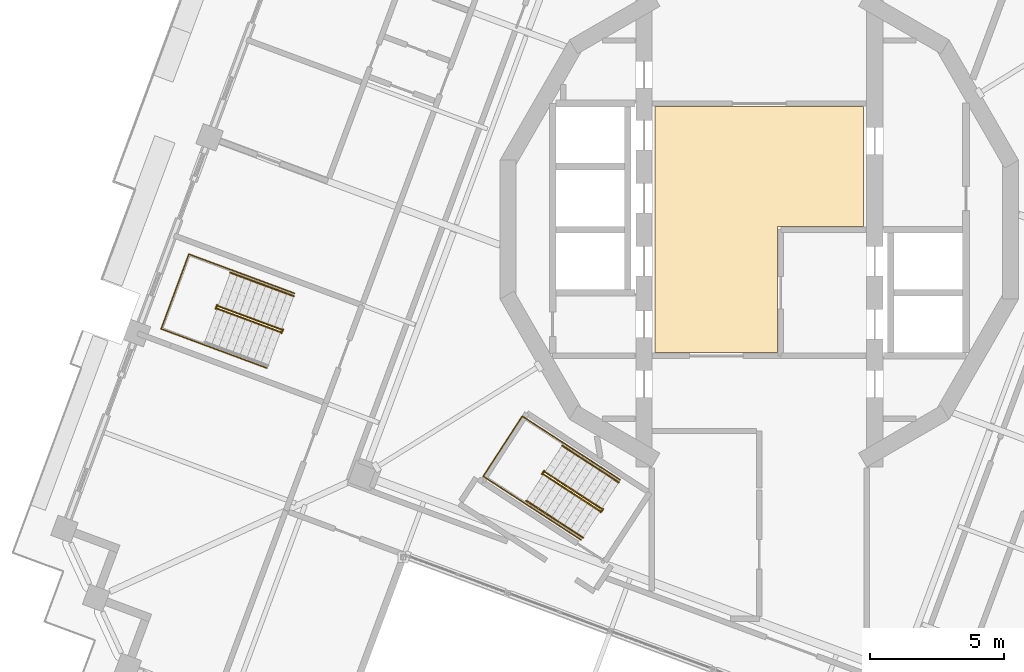
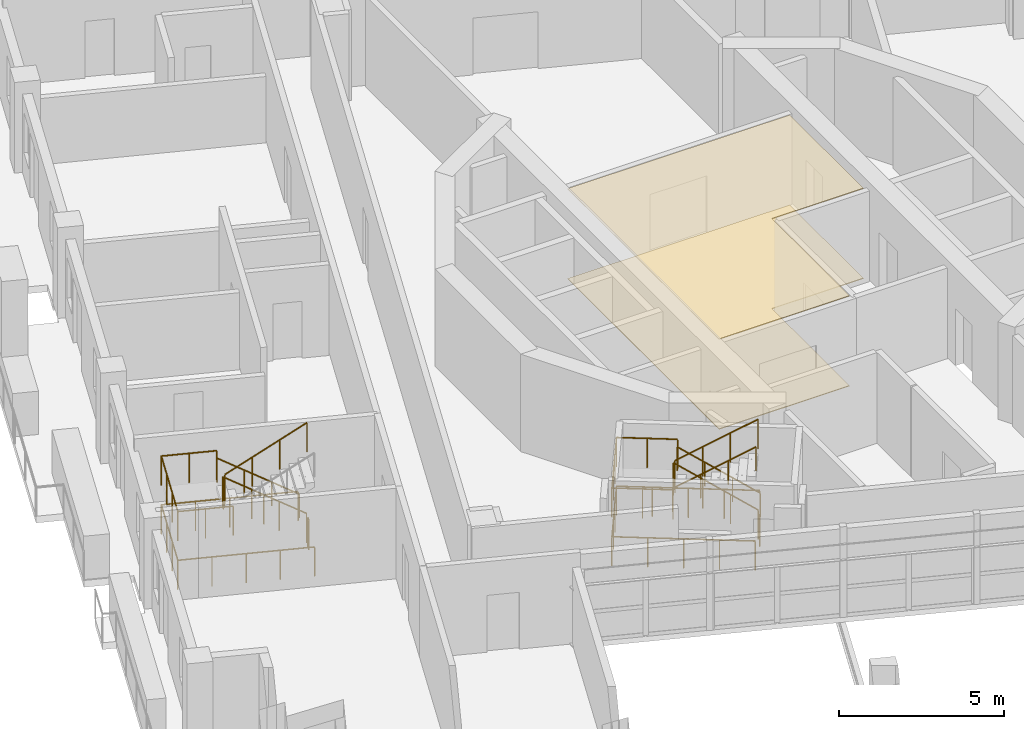
# One storey, part 14 of 19: 13 railings, 2 coverings.
"""IFC4 building model written with IfcOpenShell, lengths in metres."""

from ifc_helpers import new_model, si_unit, direction, frame, origin, origin_2d, place, context, subcontext, project, spatial, polyline, circle, outline, extrude, material, layer, layer_set, type_object, element, save


model = new_model("IFC4")

# Units and contexts
model_context = context("Model", 3, precision=1e-05, world=origin(), true_north=direction((0.0, 1.0)))
body_context = subcontext(model_context, "Body", "Model", "MODEL_VIEW")
ifc_project = project(units=[si_unit("LENGTHUNIT", "METRE"), si_unit("AREAUNIT", "SQUARE_METRE"), si_unit("VOLUMEUNIT", "CUBIC_METRE"), si_unit("PLANEANGLEUNIT", "RADIAN"), si_unit("MASSUNIT", "GRAM", prefix="KILO")], contexts=[model_context])

# Site, building, storey
site_placement = place(None, origin())
site = spatial("IfcSite", under=ifc_project, at=site_placement, CompositionType="ELEMENT")
building_placement = place(site_placement, origin())
building = spatial("IfcBuilding", under=site, at=building_placement, Name="Cantera Rosa Tower", CompositionType="ELEMENT")
storey_placement = place(building_placement, frame((0.0, 0.0, 324.10009765625)))
storey = spatial("IfcBuildingStorey", under=building, at=storey_placement, Name="L72", CompositionType="ELEMENT", Elevation=324.10009765625)

# Railings
ifc_material_1 = material(Name="Steel S355J2 (EN 10025-2)", Category="steel")
railing_type_1 = type_object("IfcRailingType", Name="STAIR GUARD 1100", PredefinedType="GUARDRAIL", material=ifc_material_1)
railing_1_placement = place(storey_placement, frame((-17.802490234375, -3.721923828125, 0.179931640625)))
element("IfcRailing", 1, at=railing_1_placement, inside=storey, type_object=railing_type_1, Name="L72 ST-63 stair guard 1", PredefinedType="GUARDRAIL", context=body_context, shape_type="SweptSolid", body=[
    extrude(circle(Radius=0.02392578125, at=origin_2d()), frame((0.0, 0.0, 1.076171875), z_axis=(-0.78878233546, 0.292319685639, 0.540713998944), x_axis=(-0.347500508527, -0.937679794265, 0.0)), (0.0, 0.0, 1.0), 2.995849609375),
    extrude(circle(Radius=0.02392578125, at=origin_2d()), frame((-2.363037109375, 0.875732421875, 2.69580078125), z_axis=(-0.671593765389, 0.740919573429, 0.0), x_axis=(-0.740919573429, -0.671593765389, 0.0)), (0.0, 0.0, 1.0), 0.056396484375),
    extrude(circle(Radius=0.02392578125, at=origin_2d()), frame((-2.40087890625, 0.91748046875, 2.69580078125), z_axis=(-0.348268249601, -0.937394914814, 0.0), x_axis=(0.937394914814, -0.348268249601, 0.0)), (0.0, 0.0, 1.0), 0.14990234375),
    extrude(circle(Radius=0.02099609375, at=origin_2d()), origin(), (0.0, 0.0, 1.0), 1.052001953125),
    extrude(circle(Radius=0.02099609375, at=origin_2d()), frame((-0.78759765625, 0.2919921875, 0.5400390625)), (0.0, 0.0, 1.0), 1.052001953125),
    extrude(circle(Radius=0.02099609375, at=origin_2d()), frame((-1.575439453125, 0.583740234375, 1.079833984375)), (0.0, 0.0, 1.0), 1.052001953125),
    extrude(circle(Radius=0.02099609375, at=origin_2d()), frame((-2.363037109375, 0.875732421875, 1.619873046875)), (0.0, 0.0, 1.0), 1.052001953125),
    extrude(circle(Radius=0.02099609375, at=origin_2d()), frame((-2.40087890625, 0.91748046875, 1.619873046875)), (0.0, 0.0, 1.0), 1.052001953125),
    extrude(circle(Radius=0.02099609375, at=origin_2d()), frame((-2.453125, 0.77685546875, 1.619873046875)), (0.0, 0.0, 1.0), 1.052001953125),
])
railing_2_placement = place(storey_placement, frame((-20.19970703125, -2.93798828125, 1.97998046875)))
element("IfcRailing", 2, at=railing_2_placement, inside=storey, type_object=railing_type_1, Name="L72 ST-63 stair guard 2", PredefinedType="GUARDRAIL", context=body_context, shape_type="SweptSolid", body=[
    extrude(circle(Radius=0.02392578125, at=origin_2d()), frame((0.0, 0.0, 1.076171875), z_axis=(0.78878233546, -0.292319685639, 0.540713998944), x_axis=(0.347500508527, 0.937679794265, 0.0)), (0.0, 0.0, 1.0), 2.995849609375),
    extrude(circle(Radius=0.02099609375, at=origin_2d()), origin(), (0.0, 0.0, 1.0), 1.052001953125),
    extrude(circle(Radius=0.02099609375, at=origin_2d()), frame((0.78759765625, -0.2919921875, 0.5400390625)), (0.0, 0.0, 1.0), 1.052001953125),
    extrude(circle(Radius=0.02099609375, at=origin_2d()), frame((1.575439453125, -0.583740234375, 1.079833984375)), (0.0, 0.0, 1.0), 1.052001953125),
    extrude(circle(Radius=0.02099609375, at=origin_2d()), frame((2.363037109375, -0.875732421875, 1.619873046875)), (0.0, 0.0, 1.0), 1.052001953125),
])
railing_3_placement = place(storey_placement, frame((-17.74658203125, -3.71484375, 0.0)))
element("IfcRailing", 3, at=railing_3_placement, inside=storey, type_object=railing_type_1, Name="L72 ST-63 stair guard 3", PredefinedType="GUARDRAIL", context=body_context, shape_type="SweptSolid", body=[
    extrude(circle(Radius=0.02392578125, at=origin_2d()), frame((0.0, 0.0, 1.076171875), z_axis=(-0.348268249601, -0.937394914814, 0.0), x_axis=(0.937394914814, -0.348268249601, 0.0)), (0.0, 0.0, 1.0), 0.14990234375),
    extrude(circle(Radius=0.02099609375, at=origin_2d()), origin(), (0.0, 0.0, 1.0), 1.052001953125),
    extrude(circle(Radius=0.02099609375, at=origin_2d()), frame((-0.05224609375, -0.140625, 0.0)), (0.0, 0.0, 1.0), 1.052001953125),
])
railing_4_placement = place(storey_placement, frame((-17.31494140625, -2.37109375, 0.0)))
element("IfcRailing", 4, at=railing_4_placement, inside=storey, type_object=railing_type_1, Name="L72 ST-63 stair guard 4", PredefinedType="GUARDRAIL", context=body_context, shape_type="SweptSolid", body=[
    extrude(circle(Radius=0.02392578125, at=origin_2d()), frame((0.0, 0.0, 1.076171875), z_axis=(-0.937682096729, 0.3474942956, 0.0), x_axis=(-0.3474942956, -0.937682096729, 0.0)), (0.0, 0.0, 1.0), 4.197998046875),
    extrude(circle(Radius=0.02392578125, at=origin_2d()), frame((-3.936279296875, 1.458740234375, 1.076171875), z_axis=(-0.347472311651, -0.937690243436, 0.0), x_axis=(0.937690243436, -0.347472311651, 0.0)), (0.0, 0.0, 1.0), 2.969970703125),
    extrude(circle(Radius=0.02392578125, at=origin_2d()), frame((-4.96826171875, -1.326171875, 1.076171875), z_axis=(0.937682096729, -0.3474942956, 0.0), x_axis=(0.3474942956, 0.937682096729, 0.0)), (0.0, 0.0, 1.0), 4.197998046875),
    extrude(circle(Radius=0.02099609375, at=origin_2d()), origin(), (0.0, 0.0, 1.0), 1.052001953125),
    extrude(circle(Radius=0.02099609375, at=origin_2d()), frame((-0.984130859375, 0.36474609375, 0.0)), (0.0, 0.0, 1.0), 1.052001953125),
    extrude(circle(Radius=0.02099609375, at=origin_2d()), frame((-1.96826171875, 0.7294921875, 0.0)), (0.0, 0.0, 1.0), 1.052001953125),
    extrude(circle(Radius=0.02099609375, at=origin_2d()), frame((-2.9521484375, 1.093994140625, 0.0)), (0.0, 0.0, 1.0), 1.052001953125),
    extrude(circle(Radius=0.02099609375, at=origin_2d()), frame((-3.936279296875, 1.458740234375, 0.0)), (0.0, 0.0, 1.0), 1.052001953125),
    extrude(circle(Radius=0.02099609375, at=origin_2d()), frame((-4.2802734375, 0.530517578125, 0.0)), (0.0, 0.0, 1.0), 1.052001953125),
    extrude(circle(Radius=0.02099609375, at=origin_2d()), frame((-4.624267578125, -0.39794921875, 0.0)), (0.0, 0.0, 1.0), 1.052001953125),
    extrude(circle(Radius=0.02099609375, at=origin_2d()), frame((-4.96826171875, -1.326171875, 0.0)), (0.0, 0.0, 1.0), 1.052001953125),
    extrude(circle(Radius=0.02099609375, at=origin_2d()), frame((-3.984130859375, -1.69091796875, 0.0)), (0.0, 0.0, 1.0), 1.052001953125),
    extrude(circle(Radius=0.02099609375, at=origin_2d()), frame((-3.0, -2.0556640625, 0.0)), (0.0, 0.0, 1.0), 1.052001953125),
    extrude(circle(Radius=0.02099609375, at=origin_2d()), frame((-2.01611328125, -2.420166015625, 0.0)), (0.0, 0.0, 1.0), 1.052001953125),
    extrude(circle(Radius=0.02099609375, at=origin_2d()), frame((-1.031982421875, -2.784912109375, 0.0)), (0.0, 0.0, 1.0), 1.052001953125),
])
railing_5_placement = place(storey_placement, frame((-19.6552734375, -1.50390625, 1.7998046875)))
element("IfcRailing", 5, at=railing_5_placement, inside=storey, type_object=railing_type_1, Name="L72 ST-63 stair guard 5", PredefinedType="GUARDRAIL", context=body_context, shape_type="SweptSolid", body=[
    extrude(circle(Radius=0.02392578125, at=origin_2d()), frame((0.0, 0.0, 1.076171875), z_axis=(-0.937660486946, 0.347552602091, 0.0), x_axis=(-0.347552602091, -0.937660486946, 0.0)), (0.0, 0.0, 1.0), 1.7021484375),
    extrude(circle(Radius=0.02392578125, at=origin_2d()), frame((-1.595947265625, 0.591552734375, 1.076171875), z_axis=(-0.347472311651, -0.937690243436, 0.0), x_axis=(0.937690243436, -0.347472311651, 0.0)), (0.0, 0.0, 1.0), 2.969970703125),
    extrude(circle(Radius=0.02392578125, at=origin_2d()), frame((-2.6279296875, -2.193359375, 1.076171875), z_axis=(0.937660486946, -0.347552602091, 0.0), x_axis=(0.347552602091, 0.937660486946, 0.0)), (0.0, 0.0, 1.0), 1.7021484375),
    extrude(circle(Radius=0.02099609375, at=origin_2d()), origin(), (0.0, 0.0, 1.0), 1.052001953125),
    extrude(circle(Radius=0.02099609375, at=origin_2d()), frame((-0.7978515625, 0.2958984375, 0.0)), (0.0, 0.0, 1.0), 1.052001953125),
    extrude(circle(Radius=0.02099609375, at=origin_2d()), frame((-1.595947265625, 0.591552734375, 0.0)), (0.0, 0.0, 1.0), 1.052001953125),
    extrude(circle(Radius=0.02099609375, at=origin_2d()), frame((-1.93994140625, -0.336669921875, 0.0)), (0.0, 0.0, 1.0), 1.052001953125),
    extrude(circle(Radius=0.02099609375, at=origin_2d()), frame((-2.283935546875, -1.26513671875, 0.0)), (0.0, 0.0, 1.0), 1.052001953125),
    extrude(circle(Radius=0.02099609375, at=origin_2d()), frame((-2.6279296875, -2.193359375, 0.0)), (0.0, 0.0, 1.0), 1.052001953125),
    extrude(circle(Radius=0.02099609375, at=origin_2d()), frame((-1.830078125, -2.4892578125, 0.0)), (0.0, 0.0, 1.0), 1.052001953125),
    extrude(circle(Radius=0.02099609375, at=origin_2d()), frame((-1.031982421875, -2.784912109375, 0.0)), (0.0, 0.0, 1.0), 1.052001953125),
])
railing_6_placement = place(storey_placement, frame((-5.873291015625, -10.403076171875, 0.179931640625)))
element("IfcRailing", 6, at=railing_6_placement, inside=storey, type_object=railing_type_1, Name="L72 ST-64 stair guard 1", PredefinedType="GUARDRAIL", context=body_context, shape_type="SweptSolid", body=[
    extrude(circle(Radius=0.02392578125, at=origin_2d()), frame((0.0, 0.0, 1.076171875), z_axis=(-0.705493103535, 0.458158972863, 0.540712341684), x_axis=(-0.544644381691, -0.838667095749, 0.0)), (0.0, 0.0, 1.0), 2.995849609375),
    extrude(circle(Radius=0.02392578125, at=origin_2d()), frame((-2.113525390625, 1.37255859375, 2.69580078125), z_axis=(-0.49520304401, 0.868777270193, 0.0), x_axis=(-0.868777270193, -0.49520304401, 0.0)), (0.0, 0.0, 1.0), 0.05615234375),
    extrude(circle(Radius=0.02392578125, at=origin_2d()), frame((-2.141357421875, 1.42138671875, 2.69580078125), z_axis=(-0.544129121324, -0.839001489467, 0.0), x_axis=(0.839001489467, -0.544129121324, 0.0)), (0.0, 0.0, 1.0), 0.14990234375),
    extrude(circle(Radius=0.02099609375, at=origin_2d()), origin(), (0.0, 0.0, 1.0), 1.052001953125),
    extrude(circle(Radius=0.02099609375, at=origin_2d()), frame((-0.70458984375, 0.45751953125, 0.5400390625)), (0.0, 0.0, 1.0), 1.052001953125),
    extrude(circle(Radius=0.02099609375, at=origin_2d()), frame((-1.408935546875, 0.9150390625, 1.079833984375)), (0.0, 0.0, 1.0), 1.052001953125),
    extrude(circle(Radius=0.02099609375, at=origin_2d()), frame((-2.113525390625, 1.37255859375, 1.619873046875)), (0.0, 0.0, 1.0), 1.052001953125),
    extrude(circle(Radius=0.02099609375, at=origin_2d()), frame((-2.141357421875, 1.42138671875, 1.619873046875)), (0.0, 0.0, 1.0), 1.052001953125),
    extrude(circle(Radius=0.02099609375, at=origin_2d()), frame((-2.222900390625, 1.295654296875, 1.619873046875)), (0.0, 0.0, 1.0), 1.052001953125),
])
railing_7_placement = place(storey_placement, frame((-8.040283203125, -9.11279296875, 1.97998046875)))
element("IfcRailing", 7, at=railing_7_placement, inside=storey, type_object=railing_type_1, Name="L72 ST-64 stair guard 2", PredefinedType="GUARDRAIL", context=body_context, shape_type="SweptSolid", body=[
    extrude(circle(Radius=0.02392578125, at=origin_2d()), frame((0.0, 0.0, 1.076171875), z_axis=(0.705493103535, -0.458158972863, 0.540712341684), x_axis=(0.544644381691, 0.838667095749, 0.0)), (0.0, 0.0, 1.0), 2.995849609375),
    extrude(circle(Radius=0.02099609375, at=origin_2d()), origin(), (0.0, 0.0, 1.0), 1.052001953125),
    extrude(circle(Radius=0.02099609375, at=origin_2d()), frame((0.70458984375, -0.45751953125, 0.5400390625)), (0.0, 0.0, 1.0), 1.052001953125),
    extrude(circle(Radius=0.02099609375, at=origin_2d()), frame((1.408935546875, -0.9150390625, 1.079833984375)), (0.0, 0.0, 1.0), 1.052001953125),
    extrude(circle(Radius=0.02099609375, at=origin_2d()), frame((2.113525390625, -1.37255859375, 1.619873046875)), (0.0, 0.0, 1.0), 1.052001953125),
])
railing_8_placement = place(storey_placement, frame((-5.8173828125, -10.408447265625, 0.0)))
element("IfcRailing", 8, at=railing_8_placement, inside=storey, type_object=railing_type_1, Name="L72 ST-64 stair guard 3", PredefinedType="GUARDRAIL", context=body_context, shape_type="SweptSolid", body=[
    extrude(circle(Radius=0.02392578125, at=origin_2d()), frame((0.0, 0.0, 1.076171875), z_axis=(-0.543386185195, -0.839482848984, 0.0), x_axis=(0.839482848984, -0.543386185195, 0.0)), (0.0, 0.0, 1.0), 0.150146484375),
    extrude(circle(Radius=0.02099609375, at=origin_2d()), origin(), (0.0, 0.0, 1.0), 1.052001953125),
    extrude(circle(Radius=0.02099609375, at=origin_2d()), frame((-0.08154296875, -0.1259765625, 0.0)), (0.0, 0.0, 1.0), 1.052001953125),
])
railing_9_placement = place(storey_placement, frame((-5.18310546875, -9.318115234375, 0.0)))
element("IfcRailing", 9, at=railing_9_placement, inside=storey, type_object=railing_type_1, Name="L72 ST-64 stair guard 4", PredefinedType="GUARDRAIL", context=body_context, shape_type="SweptSolid", body=[
    extrude(circle(Radius=0.02392578125, at=origin_2d()), frame((0.0, 0.0, 1.076171875), z_axis=(-0.838659072691, 0.544656735746, 0.0), x_axis=(-0.544656735746, -0.838659072691, 0.0)), (0.0, 0.0, 1.0), 4.347900390625),
    extrude(circle(Radius=0.02392578125, at=origin_2d()), frame((-3.646484375, 2.3681640625, 1.076171875), z_axis=(-0.544615466587, -0.838685872991, 0.0), x_axis=(0.838685872991, -0.544615466587, 0.0)), (0.0, 0.0, 1.0), 2.669921875),
    extrude(circle(Radius=0.02392578125, at=origin_2d()), frame((-5.1005859375, 0.12890625, 1.076171875), z_axis=(0.838659072691, -0.544656735746, 0.0), x_axis=(0.544656735746, 0.838659072691, 0.0)), (0.0, 0.0, 1.0), 4.347900390625),
    extrude(circle(Radius=0.02099609375, at=origin_2d()), origin(), (0.0, 0.0, 1.0), 1.052001953125),
    extrude(circle(Radius=0.02099609375, at=origin_2d()), frame((-0.91162109375, 0.592041015625, 0.0)), (0.0, 0.0, 1.0), 1.052001953125),
    extrude(circle(Radius=0.02099609375, at=origin_2d()), frame((-1.8232421875, 1.18408203125, 0.0)), (0.0, 0.0, 1.0), 1.052001953125),
    extrude(circle(Radius=0.02099609375, at=origin_2d()), frame((-2.73486328125, 1.776123046875, 0.0)), (0.0, 0.0, 1.0), 1.052001953125),
    extrude(circle(Radius=0.02099609375, at=origin_2d()), frame((-3.646484375, 2.3681640625, 0.0)), (0.0, 0.0, 1.0), 1.052001953125),
    extrude(circle(Radius=0.02099609375, at=origin_2d()), frame((-4.131103515625, 1.621826171875, 0.0)), (0.0, 0.0, 1.0), 1.052001953125),
    extrude(circle(Radius=0.02099609375, at=origin_2d()), frame((-4.615966796875, 0.875244140625, 0.0)), (0.0, 0.0, 1.0), 1.052001953125),
    extrude(circle(Radius=0.02099609375, at=origin_2d()), frame((-5.1005859375, 0.12890625, 0.0)), (0.0, 0.0, 1.0), 1.052001953125),
    extrude(circle(Radius=0.02099609375, at=origin_2d()), frame((-4.18896484375, -0.463134765625, 0.0)), (0.0, 0.0, 1.0), 1.052001953125),
    extrude(circle(Radius=0.02099609375, at=origin_2d()), frame((-3.27734375, -1.05517578125, 0.0)), (0.0, 0.0, 1.0), 1.052001953125),
    extrude(circle(Radius=0.02099609375, at=origin_2d()), frame((-2.36572265625, -1.647216796875, 0.0)), (0.0, 0.0, 1.0), 1.052001953125),
    extrude(circle(Radius=0.02099609375, at=origin_2d()), frame((-1.4541015625, -2.2392578125, 0.0)), (0.0, 0.0, 1.0), 1.052001953125),
])
railing_10_placement = place(storey_placement, frame((-7.2763671875, -7.95849609375, 1.7998046875)))
element("IfcRailing", 10, at=railing_10_placement, inside=storey, type_object=railing_type_1, Name="L72 ST-64 stair guard 5", PredefinedType="GUARDRAIL", context=body_context, shape_type="SweptSolid", body=[
    extrude(circle(Radius=0.02392578125, at=origin_2d()), frame((0.0, 0.0, 1.076171875), z_axis=(-0.838702547883, 0.544589787064, 0.0), x_axis=(-0.544589787064, -0.838702547883, 0.0)), (0.0, 0.0, 1.0), 1.85205078125),
    extrude(circle(Radius=0.02392578125, at=origin_2d()), frame((-1.55322265625, 1.008544921875, 1.076171875), z_axis=(-0.544615466587, -0.838685872991, 0.0), x_axis=(0.838685872991, -0.544615466587, 0.0)), (0.0, 0.0, 1.0), 2.669921875),
    extrude(circle(Radius=0.02392578125, at=origin_2d()), frame((-3.00732421875, -1.230712890625, 1.076171875), z_axis=(0.838702547883, -0.544589787064, 0.0), x_axis=(0.544589787064, 0.838702547883, 0.0)), (0.0, 0.0, 1.0), 1.85205078125),
    extrude(circle(Radius=0.02099609375, at=origin_2d()), origin(), (0.0, 0.0, 1.0), 1.052001953125),
    extrude(circle(Radius=0.02099609375, at=origin_2d()), frame((-0.776611328125, 0.50439453125, 0.0)), (0.0, 0.0, 1.0), 1.052001953125),
    extrude(circle(Radius=0.02099609375, at=origin_2d()), frame((-1.55322265625, 1.008544921875, 0.0)), (0.0, 0.0, 1.0), 1.052001953125),
    extrude(circle(Radius=0.02099609375, at=origin_2d()), frame((-2.037841796875, 0.26220703125, 0.0)), (0.0, 0.0, 1.0), 1.052001953125),
    extrude(circle(Radius=0.02099609375, at=origin_2d()), frame((-2.522705078125, -0.484375, 0.0)), (0.0, 0.0, 1.0), 1.052001953125),
    extrude(circle(Radius=0.02099609375, at=origin_2d()), frame((-3.00732421875, -1.230712890625, 0.0)), (0.0, 0.0, 1.0), 1.052001953125),
    extrude(circle(Radius=0.02099609375, at=origin_2d()), frame((-2.230712890625, -1.73486328125, 0.0)), (0.0, 0.0, 1.0), 1.052001953125),
    extrude(circle(Radius=0.02099609375, at=origin_2d()), frame((-1.4541015625, -2.2392578125, 0.0)), (0.0, 0.0, 1.0), 1.052001953125),
])
ifc_material_2 = material(Name="Steel S355J2 (EN 10025-2)", Category="steel")
railing_type_2 = type_object("IfcRailingType", Name="STAIR HANDRAIL 900", PredefinedType="HANDRAIL", material=ifc_material_2)
railing_11_placement = place(storey_placement, frame((-17.341796875, -2.478515625, 0.179931640625)))
element("IfcRailing", 11, at=railing_11_placement, inside=storey, type_object=railing_type_2, Name="L72 ST-63 stair handrail 1", PredefinedType="HANDRAIL", context=body_context, shape_type="SweptSolid", body=[
    extrude(circle(Radius=0.02392578125, at=origin_2d()), frame((0.0, 0.0, 0.8759765625), z_axis=(-0.78878233546, 0.292319685639, 0.540713998944), x_axis=(-0.347500508527, -0.937679794265, 0.0)), (0.0, 0.0, 1.0), 2.995849609375),
    extrude(circle(Radius=0.02099609375, at=origin_2d()), origin(), (0.0, 0.0, 1.0), 0.851806640625),
    extrude(circle(Radius=0.02099609375, at=origin_2d()), frame((-0.78759765625, 0.2919921875, 0.5400390625)), (0.0, 0.0, 1.0), 0.851806640625),
    extrude(circle(Radius=0.02099609375, at=origin_2d()), frame((-1.575439453125, 0.583740234375, 1.079833984375)), (0.0, 0.0, 1.0), 0.851806640625),
    extrude(circle(Radius=0.02099609375, at=origin_2d()), frame((-2.363037109375, 0.875732421875, 1.619873046875)), (0.0, 0.0, 1.0), 0.851806640625),
])
railing_12_placement = place(storey_placement, frame((-5.23291015625, -9.416748046875, 0.179931640625)))
element("IfcRailing", 12, at=railing_12_placement, inside=storey, type_object=railing_type_2, Name="L72 ST-64 stair handrail 1", PredefinedType="HANDRAIL", context=body_context, shape_type="SweptSolid", body=[
    extrude(circle(Radius=0.02392578125, at=origin_2d()), frame((0.0, 0.0, 0.8759765625), z_axis=(-0.705519443793, 0.458094581675, 0.540732529695), x_axis=(-0.544576236413, -0.838711346492, 0.0)), (0.0, 0.0, 1.0), 2.99560546875),
    extrude(circle(Radius=0.02099609375, at=origin_2d()), origin(), (0.0, 0.0, 1.0), 0.851806640625),
    extrude(circle(Radius=0.02099609375, at=origin_2d()), frame((-0.70458984375, 0.45751953125, 0.5400390625)), (0.0, 0.0, 1.0), 0.851806640625),
    extrude(circle(Radius=0.02099609375, at=origin_2d()), frame((-1.408935546875, 0.914794921875, 1.079833984375)), (0.0, 0.0, 1.0), 0.851806640625),
    extrude(circle(Radius=0.02099609375, at=origin_2d()), frame((-2.113525390625, 1.372314453125, 1.619873046875)), (0.0, 0.0, 1.0), 0.851806640625),
])
railing_13_placement = place(storey_placement, frame((-8.6806640625, -10.09912109375, 1.97998046875)))
element("IfcRailing", 13, at=railing_13_placement, inside=storey, type_object=railing_type_2, Name="L72 ST-64 stair handrail 2", PredefinedType="HANDRAIL", context=body_context, shape_type="SweptSolid", body=[
    extrude(circle(Radius=0.02392578125, at=origin_2d()), frame((0.0, 0.0, 0.8759765625), z_axis=(0.705493103535, -0.458158972863, 0.540712341684), x_axis=(0.544644381691, 0.838667095749, 0.0)), (0.0, 0.0, 1.0), 2.995849609375),
    extrude(circle(Radius=0.02099609375, at=origin_2d()), origin(), (0.0, 0.0, 1.0), 0.851806640625),
    extrude(circle(Radius=0.02099609375, at=origin_2d()), frame((0.70458984375, -0.45751953125, 0.5400390625)), (0.0, 0.0, 1.0), 0.851806640625),
    extrude(circle(Radius=0.02099609375, at=origin_2d()), frame((1.408935546875, -0.9150390625, 1.079833984375)), (0.0, 0.0, 1.0), 0.851806640625),
    extrude(circle(Radius=0.02099609375, at=origin_2d()), frame((2.113525390625, -1.37255859375, 1.619873046875)), (0.0, 0.0, 1.0), 0.851806640625),
])

# Coverings
ifc_material_3 = material(Name="Limestone paving", Category="masonry")
ifc_layer_1 = layer(ifc_material_3, 0.02490234375)
ifc_layer_set_1 = layer_set([ifc_layer_1], Name="STONE FLOOR FINISH 25")
covering_type_1 = type_object("IfcCoveringType", Name="STONE FLOOR FINISH 25", PredefinedType="FLOORING", material=ifc_layer_set_1)
covering_1_placement = place(storey_placement, origin())
element("IfcCovering", 14, at=covering_1_placement, inside=storey, type_object=covering_type_1, Name="STONE FLOOR FINISH L72", PredefinedType="FLOORING", context=body_context, shape_type="SweptSolid", body=[
    extrude(outline(polyline([(3.8798828125, 4.580078125), (3.8798828125, 0.1201171875), (0.679931640625, 0.1201171875), (0.679931640625, -4.580078125), (-3.8798828125, -4.580078125), (-3.8798828125, 4.580078125), (3.8798828125, 4.580078125)])), origin(), (0.0, 0.0, 1.0), 0.02490234375),
])
ifc_material_4 = material(Name="Gypsum ceiling tile")
ifc_layer_2 = layer(ifc_material_4, 0.030029296875)
ifc_layer_set_2 = layer_set([ifc_layer_2], Name="SUSPENDED CEILING 30")
covering_type_2 = type_object("IfcCoveringType", Name="SUSPENDED CEILING 30", PredefinedType="CEILING", material=ifc_layer_set_2)
covering_2_placement = place(storey_placement, frame((0.0, 0.0, 3.31982421875)))
element("IfcCovering", 15, at=covering_2_placement, inside=storey, type_object=covering_type_2, Name="SUSPENDED CEILING L72", PredefinedType="CEILING", context=body_context, shape_type="SweptSolid", body=[
    extrude(outline(polyline([(3.8798828125, 4.580078125), (3.8798828125, 0.1201171875), (0.679931640625, 0.1201171875), (0.679931640625, -4.580078125), (-3.8798828125, -4.580078125), (-3.8798828125, 4.580078125), (3.8798828125, 4.580078125)])), origin(), (0.0, 0.0, 1.0), 0.030029296875),
])

save(model, "model.ifc")
